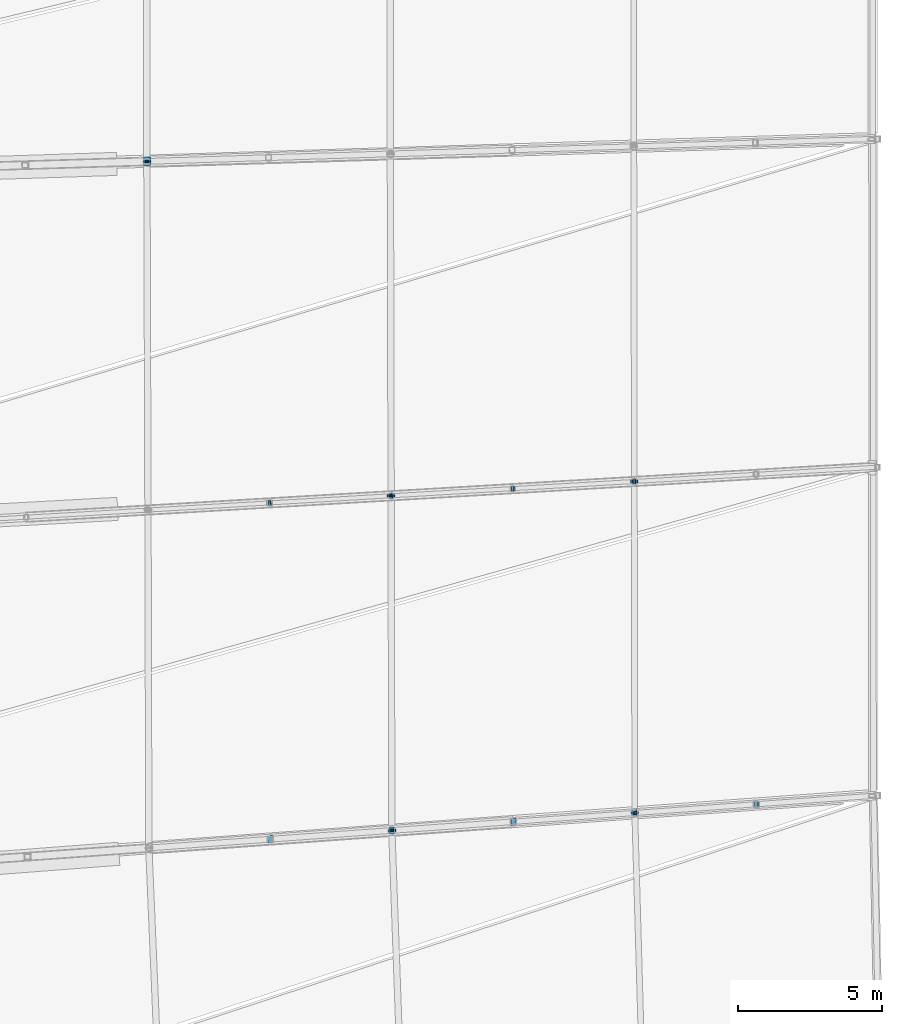
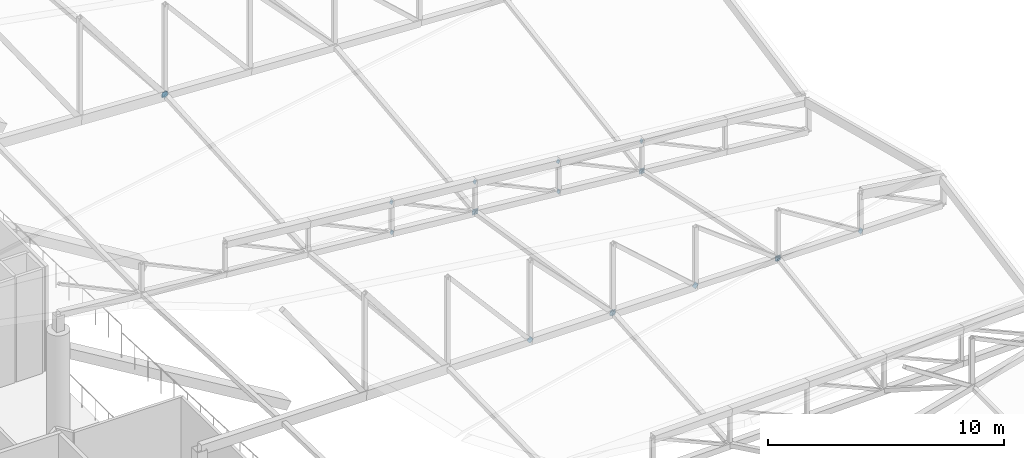
# One storey, part 290 of 344: 24 discrete accessories.
"""IFC4 building model written with IfcOpenShell, lengths in metres."""

from ifc_helpers import new_model, si_unit, direction, frame, origin, origin_2d, place, context, subcontext, project, spatial, rectangle, extrude, material, material_profile, profile_set, type_object, element, save


model = new_model("IFC4")

# Units and contexts
model_context = context("Model", 3, precision=1e-05, world=origin(), true_north=direction((0.0, 1.0)))
body_context = subcontext(model_context, "Body", "Model", "MODEL_VIEW")
ifc_project = project(units=[si_unit("LENGTHUNIT", "METRE"), si_unit("AREAUNIT", "SQUARE_METRE"), si_unit("VOLUMEUNIT", "CUBIC_METRE"), si_unit("PLANEANGLEUNIT", "RADIAN"), si_unit("MASSUNIT", "GRAM", prefix="KILO")], contexts=[model_context])

# Site, building, storey
site_placement = place(None, origin())
site = spatial("IfcSite", under=ifc_project, at=site_placement, CompositionType="ELEMENT")
building_placement = place(site_placement, origin())
building = spatial("IfcBuilding", under=site, at=building_placement, Name="Meseta Stadium", CompositionType="ELEMENT")
storey_placement = place(building_placement, frame((0.0, 0.0, 24.0)))
storey = spatial("IfcBuildingStorey", under=building, at=storey_placement, Name="L04", CompositionType="ELEMENT", Elevation=24.0)

# Discrete accessories
ifc_material_1 = material(Name="Steel S355", Category="steel")
ifc_material_profile_1 = material_profile(ifc_material_1, rectangle(XDim=0.179931640625, YDim=0.179931640625, at=origin_2d()), Name="PL 180x180")
ifc_profile_set_1 = profile_set([ifc_material_profile_1], Name="Steel S355")
discrete_accessory_type_1 = type_object("IfcDiscreteAccessoryType", Name="End plate 180x180x20", PredefinedType="ANCHORPLATE", material=ifc_profile_set_1)
for number, where, z_axis, x_axis, name in (
    (1, (-55.4208984375, -28.94873046875, 4.344482421875), (-0.890906631558, -0.048816801729, 0.451555415995), (0.054712446702, -0.998502152314, 0.0), "End plate of ROOF TRUSS RT-35 diagonal"),
    (2, (-55.403076171875, -28.947509765625, 2.781005859375), (-0.890310108805, -0.060980144439, 0.451253068847), (0.068333052409, -0.997662565173, 0.0), "End plate of ROOF TRUSS RT-35 diagonal"),
    (3, (-59.6357421875, -29.1962890625, 4.91748046875), (-0.890906631558, -0.048816801729, 0.451555415995), (0.054712446702, -0.998502152314, 0.0), "End plate of ROOF TRUSS RT-35 diagonal"),
    (4, (-59.617919921875, -29.195068359375, 3.353759765625), (-0.890310108805, -0.060980144439, 0.451253068847), (0.068333052409, -0.997662565173, 0.0), "End plate of ROOF TRUSS RT-35 diagonal"),
):
    element("IfcDiscreteAccessory", number, at=place(storey_placement, frame(where, z_axis=z_axis, x_axis=x_axis)), inside=storey, type_object=discrete_accessory_type_1, Name=name, PredefinedType="ANCHORPLATE", context=body_context, shape_type="SweptSolid", body=[
        extrude(rectangle(XDim=0.179931640625, YDim=0.179931640625, at=origin_2d()), origin(), (0.0, 0.0, 1.0), 0.02001953125),
    ])
discrete_accessory_1_placement = place(storey_placement, frame((-63.8505859375, -29.44384765625, 5.490234375), z_axis=(-0.893383670515, -0.048291009217, 0.446691835258), x_axis=(0.053975258015, -0.998542273278, 0.0)))
element("IfcDiscreteAccessory", 5, at=discrete_accessory_1_placement, inside=storey, type_object=discrete_accessory_type_1, Name="End plate of ROOF TRUSS RT-35 diagonal", PredefinedType="ANCHORPLATE", context=body_context, shape_type="SweptSolid", body=[
    extrude(rectangle(XDim=0.179931640625, YDim=0.179931640625, at=origin_2d()), origin(), (0.0, 0.0, 1.0), 0.020263671875),
])
for number, where, z_axis, x_axis, name in (
    (6, (-63.832763671875, -29.442626953125, 3.9267578125), (-0.890310108805, -0.060980144439, 0.451253068847), (0.068333052409, -0.997662565173, 0.0), "End plate of ROOF TRUSS RT-35 diagonal"),
    (7, (-68.065673828125, -29.69140625, 6.063232421875), (-0.890906631558, -0.048816801729, 0.451555415995), (0.054712446702, -0.998502152314, 0.0), "End plate of ROOF TRUSS RT-35 diagonal"),
    (8, (-68.0478515625, -29.6904296875, 4.49951171875), (-0.890906631558, -0.048816801729, 0.451555415995), (0.054712446702, -0.998502152314, 0.0), "End plate of ROOF TRUSS RT-35 diagonal"),
):
    element("IfcDiscreteAccessory", number, at=place(storey_placement, frame(where, z_axis=z_axis, x_axis=x_axis)), inside=storey, type_object=discrete_accessory_type_1, Name=name, PredefinedType="ANCHORPLATE", context=body_context, shape_type="SweptSolid", body=[
        extrude(rectangle(XDim=0.179931640625, YDim=0.179931640625, at=origin_2d()), origin(), (0.0, 0.0, 1.0), 0.02001953125),
    ])
ifc_material_2 = material(Name="Steel S355", Category="steel")
ifc_material_profile_2 = material_profile(ifc_material_2, rectangle(XDim=0.219970703125, YDim=0.219970703125, at=origin_2d()), Name="PL 220x220")
ifc_profile_set_2 = profile_set([ifc_material_profile_2], Name="Steel S355")
discrete_accessory_type_2 = type_object("IfcDiscreteAccessoryType", Name="End plate 220x220x20", PredefinedType="ANCHORPLATE", material=ifc_profile_set_2)
for number, where, z_axis, x_axis, name in (
    (9, (-51.177001953125, -40.135986328125, 4.997314453125), (-0.832368835513, -0.061203590847, 0.550832317619), (0.073331443036, -0.99730762529, 0.0), "End plate of ROOF TRUSS RT-36 diagonal"),
    (10, (-55.38916015625, -40.439208984375, 5.248046875), (-0.791682769845, -0.048718939683, 0.608986746035), (0.061422268918, -0.998111869923, 0.0), "End plate of ROOF TRUSS RT-36 diagonal"),
):
    element("IfcDiscreteAccessory", number, at=place(storey_placement, frame(where, z_axis=z_axis, x_axis=x_axis)), inside=storey, type_object=discrete_accessory_type_2, Name=name, PredefinedType="ANCHORPLATE", context=body_context, shape_type="SweptSolid", body=[
        extrude(rectangle(XDim=0.219970703125, YDim=0.219970703125, at=origin_2d()), origin(), (0.0, 0.0, 1.0), 0.02001953125),
    ])
ifc_material_3 = material(Name="Steel S355", Category="steel")
ifc_material_profile_3 = material_profile(ifc_material_3, rectangle(XDim=0.239990234375, YDim=0.239990234375, at=origin_2d()), Name="PL 240x240")
ifc_profile_set_3 = profile_set([ifc_material_profile_3], Name="Steel S355")
discrete_accessory_type_3 = type_object("IfcDiscreteAccessoryType", Name="End plate 240x240x20", PredefinedType="ANCHORPLATE", material=ifc_profile_set_3)
for number, where, z_axis, x_axis, name in (
    (11, (-59.6015625, -40.7421875, 5.4990234375), (-0.735767207382, -0.061313933948, 0.674453273433), (0.083045479854, -0.996545758245, 0.0), "End plate of ROOF TRUSS RT-36 diagonal"),
    (12, (-63.813720703125, -41.04541015625, 5.750244140625), (-0.69398756259, -0.048700881585, 0.718338003382), (0.070003281481, -0.9975467611, 0.0), "End plate of ROOF TRUSS RT-36 diagonal"),
    (13, (-68.02587890625, -41.348388671875, 6.00146484375), (-0.643003146809, -0.048528539382, 0.764324495263), (0.075257669471, -0.997164120487, 0.0), "End plate of ROOF TRUSS RT-36 diagonal"),
):
    element("IfcDiscreteAccessory", number, at=place(storey_placement, frame(where, z_axis=z_axis, x_axis=x_axis)), inside=storey, type_object=discrete_accessory_type_3, Name=name, PredefinedType="ANCHORPLATE", context=body_context, shape_type="SweptSolid", body=[
        extrude(rectangle(XDim=0.239990234375, YDim=0.239990234375, at=origin_2d()), origin(), (0.0, 0.0, 1.0), 0.02001953125),
    ])
discrete_accessory_2_placement = place(storey_placement, frame((-55.4208984375, -28.94873046875, 2.7900390625), z_axis=(0.0, -0.985030467156, -0.172380331752), x_axis=(1.0, 0.0, 0.0)))
element("IfcDiscreteAccessory", 14, at=discrete_accessory_2_placement, inside=storey, type_object=discrete_accessory_type_3, Name="End plate of ROOF TRUSS STRUT RT-34/35", PredefinedType="ANCHORPLATE", context=body_context, shape_type="SweptSolid", body=[
    extrude(rectangle(XDim=0.239990234375, YDim=0.239990234375, at=origin_2d()), origin(), (0.0, 0.0, 1.0), 0.019775390625),
])
discrete_accessory_3_placement = place(storey_placement, frame((-55.4208984375, -28.928955078125, 2.785888671875), z_axis=(0.0, -0.978677791195, 0.205401511732), x_axis=(1.0, 0.0, 0.0)))
element("IfcDiscreteAccessory", 15, at=discrete_accessory_3_placement, inside=storey, type_object=discrete_accessory_type_3, Name="End plate of ROOF TRUSS STRUT RT-35/36", PredefinedType="ANCHORPLATE", context=body_context, shape_type="SweptSolid", body=[
    extrude(rectangle(XDim=0.239990234375, YDim=0.239990234375, at=origin_2d()), origin(), (0.0, 0.0, 1.0), 0.020263671875),
])
for number, where, z_axis, x_axis, name in (
    (16, (-55.405029296875, -40.440185546875, 5.26025390625), (0.0, -0.975609756098, 0.219512195122), (1.0, 0.0, 0.0), "End plate of ROOF TRUSS STRUT RT-35/36"),
    (17, (-55.405517578125, -40.420654296875, 5.26416015625), (0.02450715407, -0.980286162792, -0.196057232558), (0.999687646408, 0.02499219116, 0.0), "End plate of ROOF TRUSS STRUT RT-36/37"),
):
    element("IfcDiscreteAccessory", number, at=place(storey_placement, frame(where, z_axis=z_axis, x_axis=x_axis)), inside=storey, type_object=discrete_accessory_type_3, Name=name, PredefinedType="ANCHORPLATE", context=body_context, shape_type="SweptSolid", body=[
        extrude(rectangle(XDim=0.239990234375, YDim=0.239990234375, at=origin_2d()), origin(), (0.0, 0.0, 1.0), 0.02001953125),
    ])
ifc_material_4 = material(Name="Steel S355", Category="steel")
ifc_material_profile_4 = material_profile(ifc_material_4, rectangle(XDim=0.260009765625, YDim=0.260009765625, at=origin_2d()), Name="PL 260x260")
ifc_profile_set_4 = profile_set([ifc_material_profile_4], Name="Steel S355")
discrete_accessory_type_4 = type_object("IfcDiscreteAccessoryType", Name="End plate 260x260x20", PredefinedType="ANCHORPLATE", material=ifc_profile_set_4)
for number, where, z_axis, x_axis, name in (
    (18, (-72.318115234375, -17.85302734375, 5.938232421875), (0.012161706884, -0.997259964488, 0.072970241304), (0.999925647793, 0.012194215217, 0.0), "End plate of ROOF TRUSS STRUT RT-33/34"),
    (19, (-63.8505859375, -29.44384765625, 3.935791015625), (0.0, -0.992465233221, -0.122526572003), (1.0, 0.0, 0.0), "End plate of ROOF TRUSS STRUT RT-34/35"),
):
    element("IfcDiscreteAccessory", number, at=place(storey_placement, frame(where, z_axis=z_axis, x_axis=x_axis)), inside=storey, type_object=discrete_accessory_type_4, Name=name, PredefinedType="ANCHORPLATE", context=body_context, shape_type="SweptSolid", body=[
        extrude(rectangle(XDim=0.260009765625, YDim=0.260009765625, at=origin_2d()), origin(), (0.0, 0.0, 1.0), 0.02001953125),
    ])
discrete_accessory_4_placement = place(storey_placement, frame((-72.318115234375, -17.833251953125, 5.939453125), z_axis=(0.0, -0.998100230056, -0.061611125312), x_axis=(1.0, 0.0, 0.0)))
element("IfcDiscreteAccessory", 20, at=discrete_accessory_4_placement, inside=storey, type_object=discrete_accessory_type_4, Name="End plate of ROOF TRUSS STRUT RT-34/35", PredefinedType="ANCHORPLATE", context=body_context, shape_type="SweptSolid", body=[
    extrude(rectangle(XDim=0.260009765625, YDim=0.260009765625, at=origin_2d()), origin(), (0.0, 0.0, 1.0), 0.019775390625),
])
for number, where, z_axis, x_axis, name in (
    (21, (-63.850830078125, -29.424072265625, 3.9326171875), (0.012188779056, -0.987291103511, 0.158454127724), (0.999923800815, 0.012344738282, 0.0), "End plate of ROOF TRUSS STRUT RT-35/36"),
    (22, (-63.82763671875, -41.04638671875, 5.7646484375), (0.012188779056, -0.987291103511, 0.158454127724), (0.999923800815, 0.012344738282, 0.0), "End plate of ROOF TRUSS STRUT RT-35/36"),
    (23, (-63.828369140625, -41.026611328125, 5.767333984375), (0.036675474366, -0.990237807881, -0.134476739342), (0.999314833767, 0.03701166051, 0.0), "End plate of ROOF TRUSS STRUT RT-36/37"),
):
    element("IfcDiscreteAccessory", number, at=place(storey_placement, frame(where, z_axis=z_axis, x_axis=x_axis)), inside=storey, type_object=discrete_accessory_type_4, Name=name, PredefinedType="ANCHORPLATE", context=body_context, shape_type="SweptSolid", body=[
        extrude(rectangle(XDim=0.260009765625, YDim=0.260009765625, at=origin_2d()), origin(), (0.0, 0.0, 1.0), 0.02001953125),
    ])
ifc_material_5 = material(Name="Steel S355", Category="steel")
ifc_material_profile_5 = material_profile(ifc_material_5, rectangle(XDim=0.2900390625, YDim=0.2900390625, at=origin_2d()), Name="PL 290x290")
ifc_profile_set_5 = profile_set([ifc_material_profile_5], Name="Steel S355")
discrete_accessory_type_5 = type_object("IfcDiscreteAccessoryType", Name="End plate 290x290x20", PredefinedType="ANCHORPLATE", material=ifc_profile_set_5)
discrete_accessory_5_placement = place(storey_placement, frame((-72.305908203125, -17.852783203125, 5.922119140625), z_axis=(-0.603813654183, -0.012076273084, 0.797034023521), x_axis=(0.0199960012, -0.99980005998, 0.0)))
element("IfcDiscreteAccessory", 24, at=discrete_accessory_5_placement, inside=storey, type_object=discrete_accessory_type_5, Name="End plate of ROOF TRUSS RT-34 diagonal", PredefinedType="ANCHORPLATE", context=body_context, shape_type="SweptSolid", body=[
    extrude(rectangle(XDim=0.2900390625, YDim=0.2900390625, at=origin_2d()), origin(), (0.0, 0.0, 1.0), 0.020263671875),
])

save(model, "model.ifc")
